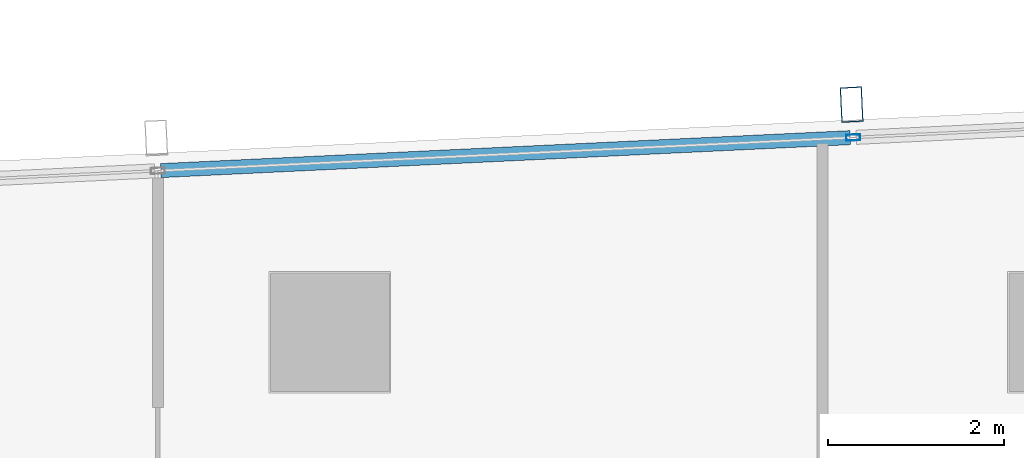
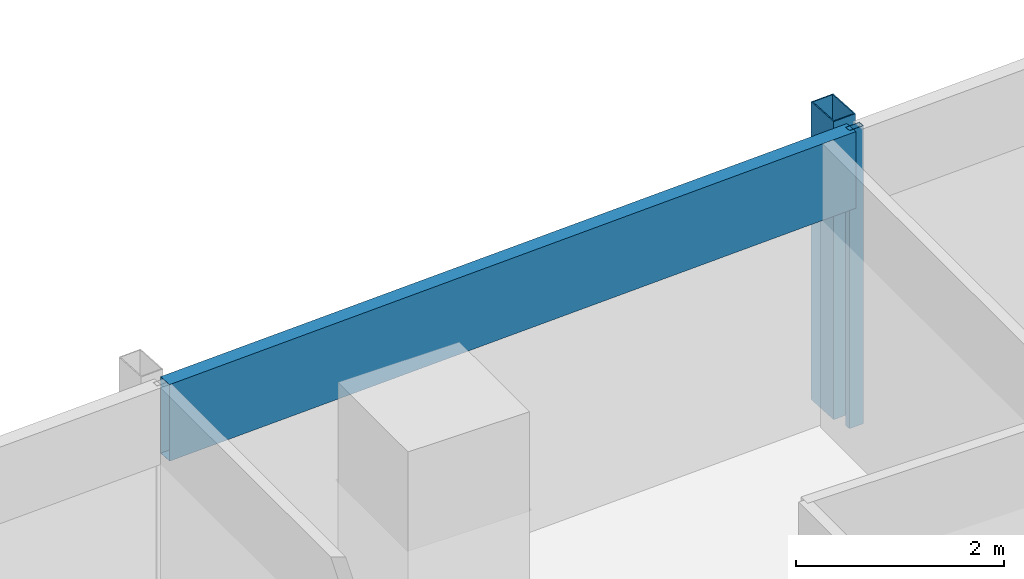
# One storey, part 18 of 39: 3 members, 1 element without a shape of its own.
"""IFC4 building model written with IfcOpenShell, lengths in metres."""

from ifc_helpers import new_model, si_unit, direction, frame, origin, origin_2d, place, context, subcontext, project, spatial, hollow_rectangle, extrude, material, material_profile, profile_set, type_object, element, aggregate, save


model = new_model("IFC4")

# Units and contexts
model_context = context("Model", 3, precision=1e-05, world=origin(), true_north=direction((0.0, 1.0)))
body_context = subcontext(model_context, "Body", "Model", "MODEL_VIEW")
ifc_project = project(units=[si_unit("LENGTHUNIT", "METRE"), si_unit("AREAUNIT", "SQUARE_METRE"), si_unit("VOLUMEUNIT", "CUBIC_METRE"), si_unit("PLANEANGLEUNIT", "RADIAN"), si_unit("MASSUNIT", "GRAM", prefix="KILO")], contexts=[model_context])

# Site, building, storey
site_placement = place(None, origin())
site = spatial("IfcSite", under=ifc_project, at=site_placement, CompositionType="ELEMENT")
building_placement = place(site_placement, origin())
building = spatial("IfcBuilding", under=site, at=building_placement, Name="Rekha Terrace Tower", CompositionType="ELEMENT")
storey_placement = place(building_placement, frame((0.0, 0.0, 225.199951171875)))
storey = spatial("IfcBuildingStorey", under=building, at=storey_placement, Name="L57", CompositionType="ELEMENT", Elevation=225.199951171875)

# Curtain wall, members
ifc_material_1 = material(Name="Aluminium framing", Category="aluminium")
curtain_wall_type = type_object("IfcCurtainWallType", Name="CW3 north unitised glazing", PredefinedType="USERDEFINED", material=ifc_material_1)
curtain_wall_placement = place(storey_placement, origin())
curtain_wall = element("IfcCurtainWall", 1, at=curtain_wall_placement, inside=storey, type_object=curtain_wall_type, Name="CW3 unitised curtain wall", ObjectType="UNITISED CURTAIN WALL", PredefinedType="USERDEFINED")
ifc_material_2 = material(Name="Steel S355 with fluorocarbon finish", Category="steel")
ifc_material_profile_1 = material_profile(ifc_material_2, hollow_rectangle(XDim=0.25, YDim=0.39990234375, WallThickness=0.012451171875, at=origin_2d()), Name="RHS400x250x12.5")
ifc_profile_set_1 = profile_set([ifc_material_profile_1], Name="Steel S355 with fluorocarbon finish")
member_type_1 = type_object("IfcMemberType", Name="BL1 facade blade RHS 400 x 250", PredefinedType="USERDEFINED", material=ifc_profile_set_1)
member_1_placement = place(storey_placement, frame((22.734130859375, 61.389404296875, 0.0), z_axis=(0.0, 0.0, 1.0), x_axis=(-0.998858913274, -0.04775846913, 0.0)))
member_1 = element("IfcMember", 2, at=member_1_placement, type_object=member_type_1, Name="Facade blade", ObjectType="FACADE BLADE", PredefinedType="USERDEFINED", context=body_context, shape_type="SweptSolid", body=[
    extrude(hollow_rectangle(XDim=0.25, YDim=0.39990234375, WallThickness=0.012451171875, at=origin_2d()), origin(), (0.0, 0.0, 1.0), 3.5),
])
ifc_material_3 = material(Name="Aluminium mullion section", Category="aluminium")
ifc_material_profile_2 = material_profile(ifc_material_3, hollow_rectangle(XDim=0.070068359375, YDim=0.159912109375, WallThickness=0.00390625, at=origin_2d()), Name="AL RHS 70x160")
ifc_profile_set_2 = profile_set([ifc_material_profile_2], Name="Aluminium mullion section")
member_type_2 = type_object("IfcMemberType", Name="CW3 mullion RHS 70 x 160", PredefinedType="MULLION", material=ifc_profile_set_2)
member_2_placement = place(storey_placement, frame((22.751953125, 61.014892578125, 0.0), z_axis=(0.0, 0.0, 1.0), x_axis=(0.047758616983, -0.998858906204, 0.0)))
member_2 = element("IfcMember", 3, at=member_2_placement, type_object=member_type_2, Name="CW3 mullion 4", PredefinedType="MULLION", context=body_context, shape_type="SweptSolid", body=[
    extrude(hollow_rectangle(XDim=0.070068359375, YDim=0.159912109375, WallThickness=0.00390625, at=origin_2d()), origin(), (0.0, 0.0, 1.0), 3.5),
])
ifc_material_4 = material(Name="Insulated aluminium spandrel box", Category="aluminium")
ifc_material_profile_3 = material_profile(ifc_material_4, hollow_rectangle(XDim=0.159912109375, YDim=0.89990234375, WallThickness=0.0029296875, at=origin_2d()), Name="AL SPANDREL BOX 160x900")
ifc_profile_set_3 = profile_set([ifc_material_profile_3], Name="Insulated aluminium spandrel box")
member_type_3 = type_object("IfcMemberType", Name="CW3 spandrel transom 160 x 900", PredefinedType="USERDEFINED", material=ifc_profile_set_3)
member_3_placement = place(storey_placement, frame((22.717041015625, 61.01318359375, 3.050048828125), z_axis=(-0.998859252362, -0.047751376635, 0.0), x_axis=(0.047751376635, -0.998859252362, 0.0)))
member_3 = element("IfcMember", 4, at=member_3_placement, type_object=member_type_3, Name="CW3 spandrel transom 4", ObjectType="TRANSOM", PredefinedType="USERDEFINED", context=body_context, shape_type="SweptSolid", body=[
    extrude(hollow_rectangle(XDim=0.159912109375, YDim=0.89990234375, WallThickness=0.0029296875, at=origin_2d()), origin(), (0.0, 0.0, 1.0), 7.84814453125),
])
aggregate(curtain_wall, [member_2, member_3, member_1])

save(model, "model.ifc")
